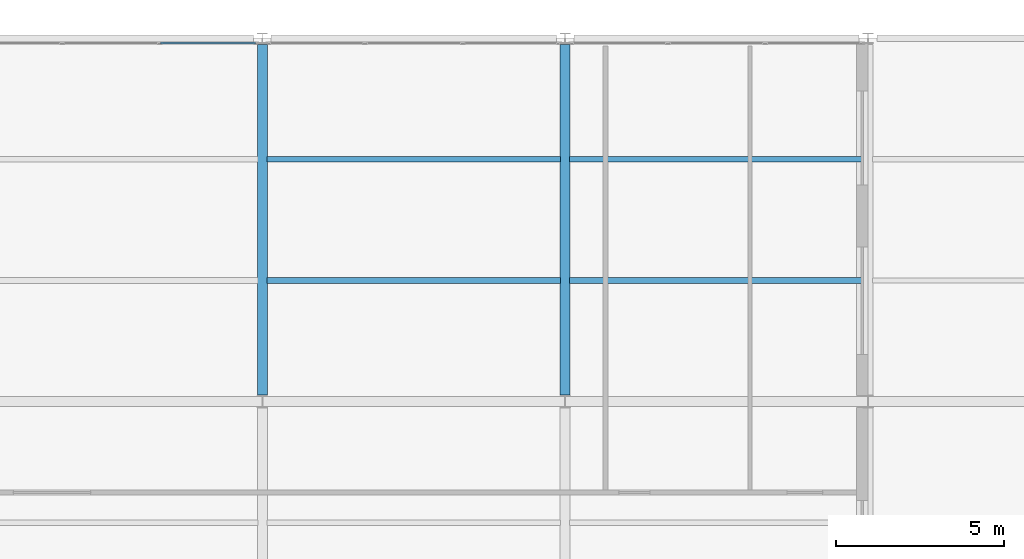
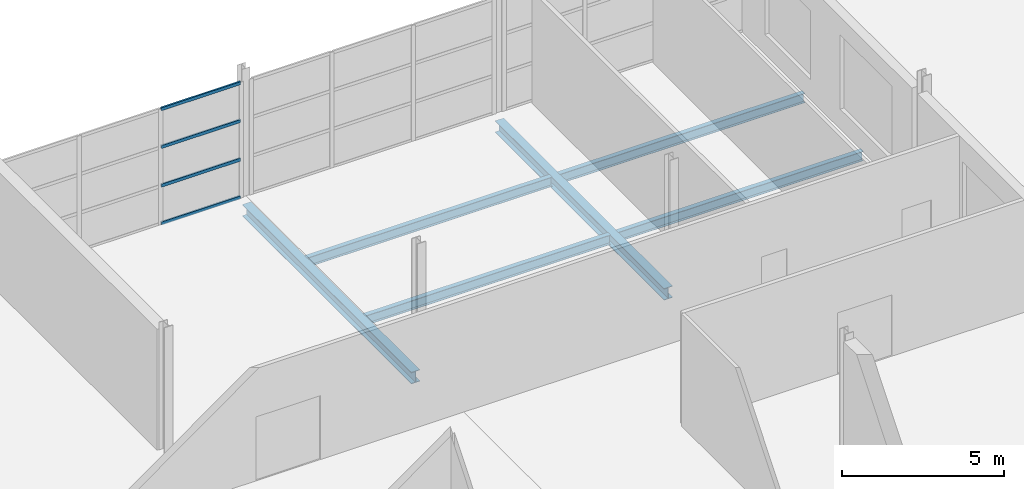
# One storey, part 57 of 134: 6 beams, 4 members, 1 element without a shape of its own.
"""IFC4 building model written with IfcOpenShell, lengths in metres."""

from ifc_helpers import new_model, si_unit, direction, frame, origin, origin_2d, place, context, subcontext, project, spatial, hollow_rectangle, i_section, extrude, material, layer, layer_set, material_profile, profile_set, type_object, element, aggregate, save


model = new_model("IFC4")

# Units and contexts
model_context = context("Model", 3, precision=1e-05, world=origin(), true_north=direction((0.0, 1.0)))
body_context = subcontext(model_context, "Body", "Model", "MODEL_VIEW")
ifc_project = project(units=[si_unit("LENGTHUNIT", "METRE"), si_unit("AREAUNIT", "SQUARE_METRE"), si_unit("VOLUMEUNIT", "CUBIC_METRE"), si_unit("PLANEANGLEUNIT", "RADIAN"), si_unit("MASSUNIT", "GRAM", prefix="KILO")], contexts=[model_context])

# Site, building, storey
site_placement = place(None, origin())
site = spatial("IfcSite", under=ifc_project, at=site_placement, CompositionType="ELEMENT")
building_placement = place(site_placement, origin())
building = spatial("IfcBuilding", under=site, at=building_placement, Name="Tamarisk Ironworks Central Station", CompositionType="ELEMENT")
storey_placement = place(building_placement, frame((0.0, 0.0, 12.60009765625)))
storey = spatial("IfcBuildingStorey", under=building, at=storey_placement, Name="L02", CompositionType="ELEMENT", Elevation=12.60009765625)

# Beams
ifc_material_1 = material(Name="Structural steel S355J2", Category="steel")
ifc_material_profile_1 = material_profile(ifc_material_1, i_section(OverallWidth=0.169921875, OverallDepth=0.360107421875, WebThickness=0.008056640625, FlangeThickness=0.0126953125, at=origin_2d()), Name="IPE 360")
ifc_profile_set_1 = profile_set([ifc_material_profile_1], Name="Structural steel S355J2")
beam_type_1 = type_object("IfcBeamType", Name="BM-B05", PredefinedType="BEAM", material=ifc_profile_set_1)
for number, where, z_axis, x_axis, name in (
    (1, (18.135009765625, 115.199951171875, -0.43017578125), (1.0, 0.0, 0.0), (0.0, 1.0, 0.0), "L02 secondary composite beam 0143"),
    (2, (18.135009765625, 118.800048828125, -0.43017578125), (1.0, 0.0, 0.0), (0.0, 1.0, 0.0), "L02 secondary composite beam 0144"),
    (3, (27.135009765625, 115.199951171875, -0.43017578125), (1.0, 0.0, 0.0), (0.0, 1.0, 0.0), "L02 secondary composite beam 0149"),
    (4, (27.135009765625, 118.800048828125, -0.43017578125), (1.0, 0.0, 0.0), (0.0, 1.0, 0.0), "L02 secondary composite beam 0150"),
):
    element("IfcBeam", number, at=place(storey_placement, frame(where, z_axis=z_axis, x_axis=x_axis)), inside=storey, type_object=beam_type_1, Name=name, PredefinedType="BEAM", context=body_context, shape_type="SweptSolid", body=[
        extrude(i_section(OverallWidth=0.169921875, OverallDepth=0.360107421875, WebThickness=0.008056640625, FlangeThickness=0.0126953125, at=origin_2d()), origin(), (0.0, 0.0, 1.0), 8.72998046875),
    ])
ifc_material_profile_2 = material_profile(ifc_material_1, i_section(OverallWidth=0.300048828125, OverallDepth=0.43994140625, WebThickness=0.011474609375, FlangeThickness=0.02099609375, at=origin_2d()), Name="HEA 450")
ifc_profile_set_2 = profile_set([ifc_material_profile_2], Name="Structural steel S355J2")
beam_type_2 = type_object("IfcBeamType", Name="BM-G06", PredefinedType="BEAM", material=ifc_profile_set_2)
for number, where, z_axis, x_axis, name in (
    (5, (18.0, 111.7880859375, -0.47021484375), (0.0, 1.0, 0.0), (-1.0, 0.0, 0.0), "L02 primary girder Y-0435"),
    (6, (27.0, 111.7880859375, -0.47021484375), (0.0, 1.0, 0.0), (-1.0, 0.0, 0.0), "L02 primary girder Y-0441"),
):
    element("IfcBeam", number, at=place(storey_placement, frame(where, z_axis=z_axis, x_axis=x_axis)), inside=storey, type_object=beam_type_2, Name=name, PredefinedType="BEAM", context=body_context, shape_type="SweptSolid", body=[
        extrude(i_section(OverallWidth=0.300048828125, OverallDepth=0.43994140625, WebThickness=0.011474609375, FlangeThickness=0.02099609375, at=origin_2d()), origin(), (0.0, 0.0, 1.0), 10.423828125),
    ])

# Curtain wall, members
ifc_material_2 = material(Name="Anodized aluminium alloy 6063-T6", Category="aluminium")
ifc_layer = layer(ifc_material_2, 0.179931640625)
ifc_layer_set = layer_set([ifc_layer], Name="Anodized aluminium alloy 6063-T6")
curtain_wall_type = type_object("IfcCurtainWallType", Name="CW-14", PredefinedType="USERDEFINED", material=ifc_layer_set)
curtain_wall_placement = place(storey_placement, origin())
curtain_wall = element("IfcCurtainWall", 7, at=curtain_wall_placement, inside=storey, type_object=curtain_wall_type, Name="Pavilion L02 N glazed arcade 09", ObjectType="GLAZED CURTAIN WALL", PredefinedType="USERDEFINED")
ifc_material_profile_3 = material_profile(ifc_material_2, hollow_rectangle(XDim=0.06005859375, YDim=0.114990234375, WallThickness=0.00341796875, at=origin_2d()), Name="ALUM 115x60")
ifc_profile_set_3 = profile_set([ifc_material_profile_3], Name="Anodized aluminium alloy 6063-T6")
member_type = type_object("IfcMemberType", Name="CWT-03", PredefinedType="USERDEFINED", material=ifc_profile_set_3)
member_1_placement = place(storey_placement, frame((14.9765625, 122.25, 0.02978515625), z_axis=(1.0, 0.0, 0.0), x_axis=(0.0, 1.0, 0.0)))
member_1 = element("IfcMember", 8, at=member_1_placement, type_object=member_type, Name="CW14 transom 3.1", ObjectType="TRANSOM", PredefinedType="USERDEFINED", context=body_context, shape_type="SweptSolid", body=[
    extrude(hollow_rectangle(XDim=0.06005859375, YDim=0.114990234375, WallThickness=0.00341796875, at=origin_2d()), origin(), (0.0, 0.0, 1.0), 2.8193359375),
])
member_2_placement = place(storey_placement, frame((14.9765625, 122.25, 1.453125), z_axis=(1.0, 0.0, 0.0), x_axis=(0.0, 1.0, 0.0)))
member_2 = element("IfcMember", 9, at=member_2_placement, type_object=member_type, Name="CW14 transom 3.2", ObjectType="TRANSOM", PredefinedType="USERDEFINED", context=body_context, shape_type="SweptSolid", body=[
    extrude(hollow_rectangle(XDim=0.06005859375, YDim=0.114990234375, WallThickness=0.00341796875, at=origin_2d()), origin(), (0.0, 0.0, 1.0), 2.8193359375),
])
member_3_placement = place(storey_placement, frame((14.9765625, 122.25, 2.906494140625), z_axis=(1.0, 0.0, 0.0), x_axis=(0.0, 1.0, 0.0)))
member_3 = element("IfcMember", 10, at=member_3_placement, type_object=member_type, Name="CW14 transom 3.3", ObjectType="TRANSOM", PredefinedType="USERDEFINED", context=body_context, shape_type="SweptSolid", body=[
    extrude(hollow_rectangle(XDim=0.06005859375, YDim=0.114990234375, WallThickness=0.00341796875, at=origin_2d()), origin(), (0.0, 0.0, 1.0), 2.8193359375),
])
member_4_placement = place(storey_placement, frame((14.9765625, 122.25, 4.329833984375), z_axis=(1.0, 0.0, 0.0), x_axis=(0.0, 1.0, 0.0)))
member_4 = element("IfcMember", 11, at=member_4_placement, type_object=member_type, Name="CW14 transom 3.4", ObjectType="TRANSOM", PredefinedType="USERDEFINED", context=body_context, shape_type="SweptSolid", body=[
    extrude(hollow_rectangle(XDim=0.06005859375, YDim=0.114990234375, WallThickness=0.00341796875, at=origin_2d()), origin(), (0.0, 0.0, 1.0), 2.8193359375),
])
aggregate(curtain_wall, [member_1, member_2, member_3, member_4])

save(model, "model.ifc")
